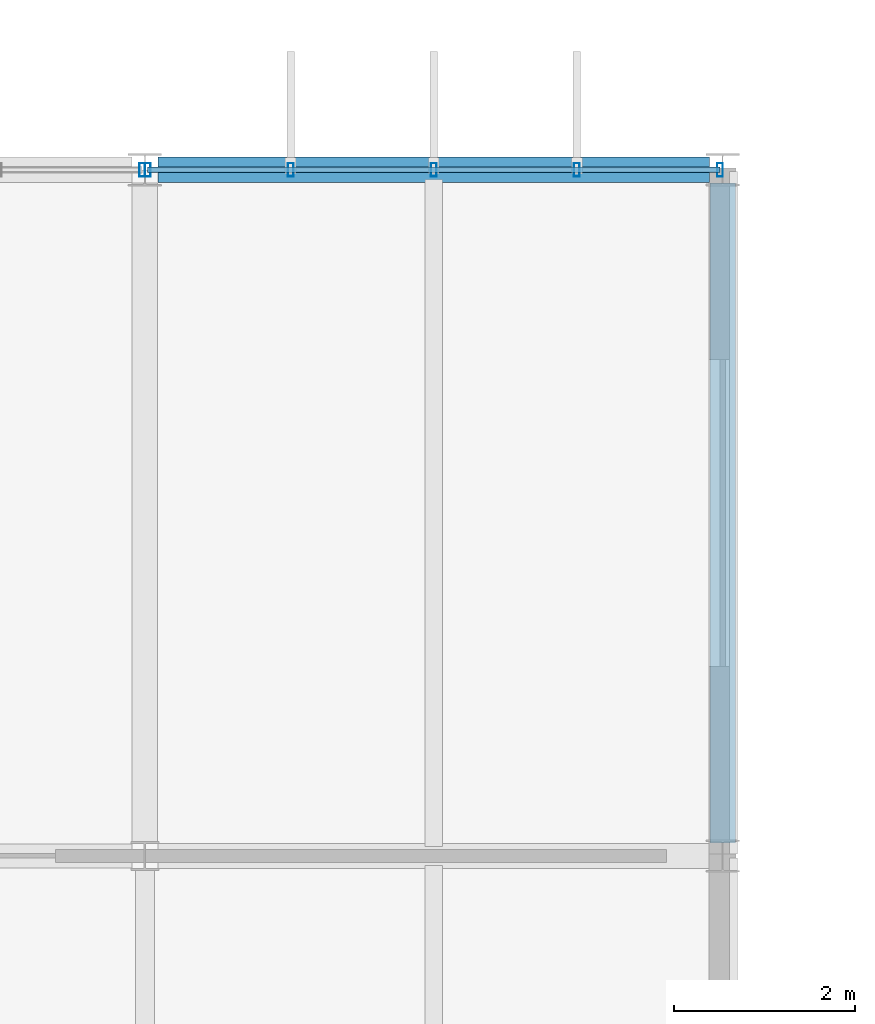
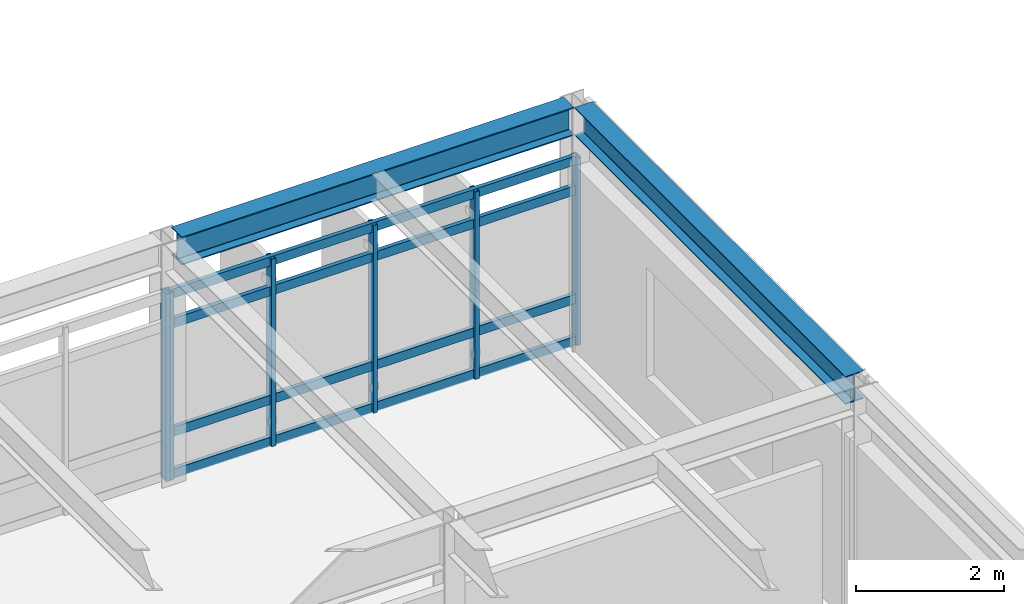
# One storey, part 19 of 33: 10 members, 2 beams, 2 elements without a shape of their own.
"""IFC4 building model written with IfcOpenShell, lengths in metres."""

from ifc_helpers import new_model, si_unit, direction, frame, origin, origin_2d, place, context, subcontext, project, spatial, hollow_rectangle, i_section, extrude, material, material_profile, profile_set, type_object, element, aggregate, save


model = new_model("IFC4")

# Units and contexts
model_context = context("Model", 3, precision=1e-05, world=origin(), true_north=direction((0.0, 1.0)))
body_context = subcontext(model_context, "Body", "Model", "MODEL_VIEW")
ifc_project = project(units=[si_unit("LENGTHUNIT", "METRE"), si_unit("AREAUNIT", "SQUARE_METRE"), si_unit("VOLUMEUNIT", "CUBIC_METRE"), si_unit("PLANEANGLEUNIT", "RADIAN"), si_unit("MASSUNIT", "GRAM", prefix="KILO")], contexts=[model_context])

# Site, building, storey
site_placement = place(None, origin())
site = spatial("IfcSite", under=ifc_project, at=site_placement, CompositionType="ELEMENT")
building_placement = place(site_placement, origin())
building = spatial("IfcBuilding", under=site, at=building_placement, Name="Zulena Civic Courthouse", CompositionType="ELEMENT")
storey_placement = place(building_placement, frame((0.0, 0.0, 33.60009765625)))
storey = spatial("IfcBuildingStorey", under=building, at=storey_placement, Name="L07", CompositionType="ELEMENT", Elevation=33.60009765625)

# Curtain wall, member
ifc_material_1 = material(Name="Double-silver low-E laminated solar-control glass", Category="glass")
curtain_wall_type_1 = type_object("IfcCurtainWallType", Name="CW_7940x3090", PredefinedType="USERDEFINED", material=ifc_material_1)
curtain_wall_1_placement = place(storey_placement, origin())
curtain_wall_1 = element("IfcCurtainWall", 1, at=curtain_wall_1_placement, inside=storey, type_object=curtain_wall_type_1, Name="cw:V2:L07:1:5", ObjectType="UNITISED CURTAIN WALL", PredefinedType="USERDEFINED")
ifc_material_2 = material(Name="Bronze anodised thermally broken aluminium AA6063-T6", Category="aluminium")
ifc_material_profile_1 = material_profile(ifc_material_2, hollow_rectangle(XDim=0.06494140625, YDim=0.14990234375, WallThickness=0.00390625, at=origin_2d()), Name="CWM150X65X4")
ifc_profile_set_1 = profile_set([ifc_material_profile_1], Name="Bronze anodised thermally broken aluminium AA6063-T6")
member_type_1 = type_object("IfcMemberType", Name="CWMullion_150x65", PredefinedType="MULLION", material=ifc_profile_set_1)
member_1_placement = place(storey_placement, frame((59.969970703125, 22.800048828125, 0.0), z_axis=(0.0, 0.0, 1.0), x_axis=(1.0, 0.0, 0.0)))
member_1 = element("IfcMember", 2, at=member_1_placement, type_object=member_type_1, Name="cw:V2:L07:1:5:mull:5", PredefinedType="MULLION", context=body_context, shape_type="SweptSolid", body=[
    extrude(hollow_rectangle(XDim=0.06494140625, YDim=0.14990234375, WallThickness=0.00390625, at=origin_2d()), origin(), (0.0, 0.0, 1.0), 3.08984375),
])
aggregate(curtain_wall_1, [member_1])

# Curtain wall, members
curtain_wall_type_2 = type_object("IfcCurtainWallType", Name="CW_6340x3090", PredefinedType="USERDEFINED", material=ifc_material_1)
curtain_wall_2_placement = place(storey_placement, origin())
curtain_wall_2 = element("IfcCurtainWall", 3, at=curtain_wall_2_placement, inside=storey, type_object=curtain_wall_type_2, Name="cw:V2:L07:1:6", ObjectType="UNITISED CURTAIN WALL", PredefinedType="USERDEFINED")
member_2_placement = place(storey_placement, frame((60.030029296875, 22.800048828125, 0.0), z_axis=(0.0, 0.0, 1.0), x_axis=(1.0, 0.0, 0.0)))
member_2 = element("IfcMember", 4, at=member_2_placement, type_object=member_type_1, Name="cw:V2:L07:1:6:mull:0", PredefinedType="MULLION", context=body_context, shape_type="SweptSolid", body=[
    extrude(hollow_rectangle(XDim=0.06494140625, YDim=0.14990234375, WallThickness=0.00390625, at=origin_2d()), origin(), (0.0, 0.0, 1.0), 3.08984375),
])
member_3_placement = place(storey_placement, frame((61.614990234375, 22.800048828125, 0.0), z_axis=(0.0, 0.0, 1.0), x_axis=(1.0, 0.0, 0.0)))
member_3 = element("IfcMember", 5, at=member_3_placement, type_object=member_type_1, Name="cw:V2:L07:1:6:mull:1", PredefinedType="MULLION", context=body_context, shape_type="SweptSolid", body=[
    extrude(hollow_rectangle(XDim=0.06494140625, YDim=0.14990234375, WallThickness=0.00390625, at=origin_2d()), origin(), (0.0, 0.0, 1.0), 3.08984375),
])
member_4_placement = place(storey_placement, frame((63.199951171875, 22.800048828125, 0.0), z_axis=(0.0, 0.0, 1.0), x_axis=(1.0, 0.0, 0.0)))
member_4 = element("IfcMember", 6, at=member_4_placement, type_object=member_type_1, Name="cw:V2:L07:1:6:mull:2", PredefinedType="MULLION", context=body_context, shape_type="SweptSolid", body=[
    extrude(hollow_rectangle(XDim=0.06494140625, YDim=0.14990234375, WallThickness=0.00390625, at=origin_2d()), origin(), (0.0, 0.0, 1.0), 3.08984375),
])
member_5_placement = place(storey_placement, frame((64.784912109375, 22.800048828125, 0.0), z_axis=(0.0, 0.0, 1.0), x_axis=(1.0, 0.0, 0.0)))
member_5 = element("IfcMember", 7, at=member_5_placement, type_object=member_type_1, Name="cw:V2:L07:1:6:mull:3", PredefinedType="MULLION", context=body_context, shape_type="SweptSolid", body=[
    extrude(hollow_rectangle(XDim=0.06494140625, YDim=0.14990234375, WallThickness=0.00390625, at=origin_2d()), origin(), (0.0, 0.0, 1.0), 3.08984375),
])
member_6_placement = place(storey_placement, frame((66.3701171875, 22.800048828125, 0.0), z_axis=(0.0, 0.0, 1.0), x_axis=(1.0, 0.0, 0.0)))
member_6 = element("IfcMember", 8, at=member_6_placement, type_object=member_type_1, Name="cw:V2:L07:1:6:mull:4", PredefinedType="MULLION", context=body_context, shape_type="SweptSolid", body=[
    extrude(hollow_rectangle(XDim=0.06494140625, YDim=0.14990234375, WallThickness=0.00390625, at=origin_2d()), origin(), (0.0, 0.0, 1.0), 3.08984375),
])
ifc_material_profile_2 = material_profile(ifc_material_2, hollow_rectangle(XDim=0.06494140625, YDim=0.14990234375, WallThickness=0.00390625, at=origin_2d()), Name="CWT150X65X4")
ifc_profile_set_2 = profile_set([ifc_material_profile_2], Name="Bronze anodised thermally broken aluminium AA6063-T6")
member_type_2 = type_object("IfcMemberType", Name="CWTransom_150x65", PredefinedType="USERDEFINED", material=ifc_profile_set_2)
member_7_placement = place(storey_placement, frame((60.030029296875, 22.800048828125, 0.059814453125), z_axis=(1.0, 0.0, 0.0), x_axis=(0.0, 1.0, 0.0)))
member_7 = element("IfcMember", 9, at=member_7_placement, type_object=member_type_2, Name="cw:V2:L07:1:6:tran:0", ObjectType="TRANSOM", PredefinedType="USERDEFINED", context=body_context, shape_type="SweptSolid", body=[
    extrude(hollow_rectangle(XDim=0.06494140625, YDim=0.14990234375, WallThickness=0.00390625, at=origin_2d()), origin(), (0.0, 0.0, 1.0), 6.340087890625),
])
member_8_placement = place(storey_placement, frame((60.030029296875, 22.800048828125, 0.75), z_axis=(1.0, 0.0, 0.0), x_axis=(0.0, 1.0, 0.0)))
member_8 = element("IfcMember", 10, at=member_8_placement, type_object=member_type_2, Name="cw:V2:L07:1:6:tran:1", ObjectType="TRANSOM", PredefinedType="USERDEFINED", context=body_context, shape_type="SweptSolid", body=[
    extrude(hollow_rectangle(XDim=0.06494140625, YDim=0.14990234375, WallThickness=0.00390625, at=origin_2d()), origin(), (0.0, 0.0, 1.0), 6.340087890625),
])
member_9_placement = place(storey_placement, frame((60.030029296875, 22.800048828125, 2.539794921875), z_axis=(1.0, 0.0, 0.0), x_axis=(0.0, 1.0, 0.0)))
member_9 = element("IfcMember", 11, at=member_9_placement, type_object=member_type_2, Name="cw:V2:L07:1:6:tran:2", ObjectType="TRANSOM", PredefinedType="USERDEFINED", context=body_context, shape_type="SweptSolid", body=[
    extrude(hollow_rectangle(XDim=0.06494140625, YDim=0.14990234375, WallThickness=0.00390625, at=origin_2d()), origin(), (0.0, 0.0, 1.0), 6.340087890625),
])
member_10_placement = place(storey_placement, frame((60.030029296875, 22.800048828125, 3.02978515625), z_axis=(1.0, 0.0, 0.0), x_axis=(0.0, 1.0, 0.0)))
member_10 = element("IfcMember", 12, at=member_10_placement, type_object=member_type_2, Name="cw:V2:L07:1:6:tran:3", ObjectType="TRANSOM", PredefinedType="USERDEFINED", context=body_context, shape_type="SweptSolid", body=[
    extrude(hollow_rectangle(XDim=0.06494140625, YDim=0.14990234375, WallThickness=0.00390625, at=origin_2d()), origin(), (0.0, 0.0, 1.0), 6.340087890625),
])
aggregate(curtain_wall_2, [member_2, member_3, member_4, member_5, member_6, member_7, member_8, member_9, member_10])

# Beams
ifc_material_3 = material(Name="Steel ASTM A992 Grade 50", Category="steel")
ifc_material_profile_3 = material_profile(ifc_material_3, i_section(OverallWidth=0.280029296875, OverallDepth=0.462890625, WebThickness=0.0107421875, FlangeThickness=0.017333984375, FilletRadius=0.01025390625, at=origin_2d()), Name="W18X76")
ifc_profile_set_3 = profile_set([ifc_material_profile_3], Name="Steel ASTM A992 Grade 50")
beam_type = type_object("IfcBeamType", Name="Spandrel_W18X76", PredefinedType="SPANDREL", material=ifc_profile_set_3)
beam_1_placement = place(storey_placement, frame((60.14501953125, 22.800048828125, 3.768310546875), z_axis=(1.0, 0.0, 0.0), x_axis=(0.0, 1.0, 0.0)))
element("IfcBeam", 13, at=beam_1_placement, inside=storey, type_object=beam_type, Name="beam:X:V2:L07:22.8:60.0_66.4", PredefinedType="SPANDREL", context=body_context, shape_type="SweptSolid", body=[
    extrude(i_section(OverallWidth=0.280029296875, OverallDepth=0.462890625, WebThickness=0.0107421875, FlangeThickness=0.017333984375, FilletRadius=0.01025390625, at=origin_2d()), origin(), (0.0, 0.0, 1.0), 6.10986328125),
])
beam_2_placement = place(storey_placement, frame((66.39990234375, 15.344970703125, 3.768310546875), z_axis=(0.0, 1.0, 0.0), x_axis=(-1.0, 0.0, 0.0)))
element("IfcBeam", 14, at=beam_2_placement, inside=storey, type_object=beam_type, Name="beam:Y:V2:L07:66.4:15.2_22.8", PredefinedType="SPANDREL", context=body_context, shape_type="SweptSolid", body=[
    extrude(i_section(OverallWidth=0.280029296875, OverallDepth=0.462890625, WebThickness=0.0107421875, FlangeThickness=0.017333984375, FilletRadius=0.01025390625, at=origin_2d()), origin(), (0.0, 0.0, 1.0), 7.31005859375),
])

save(model, "model.ifc")
